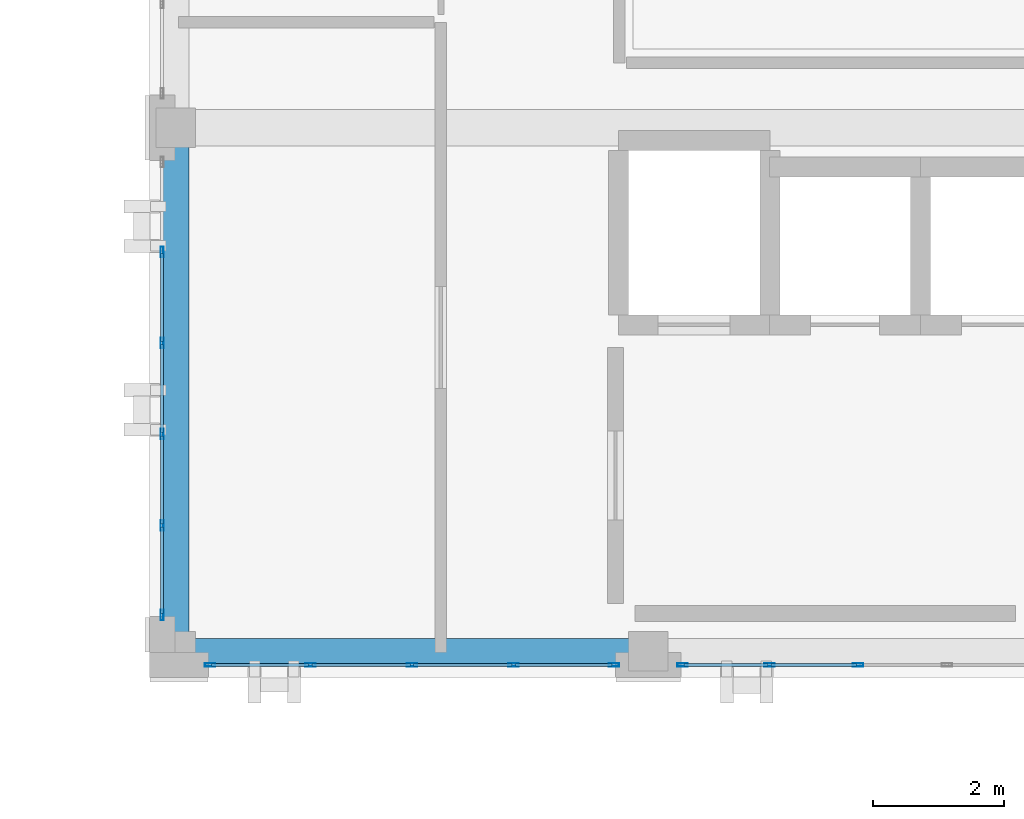
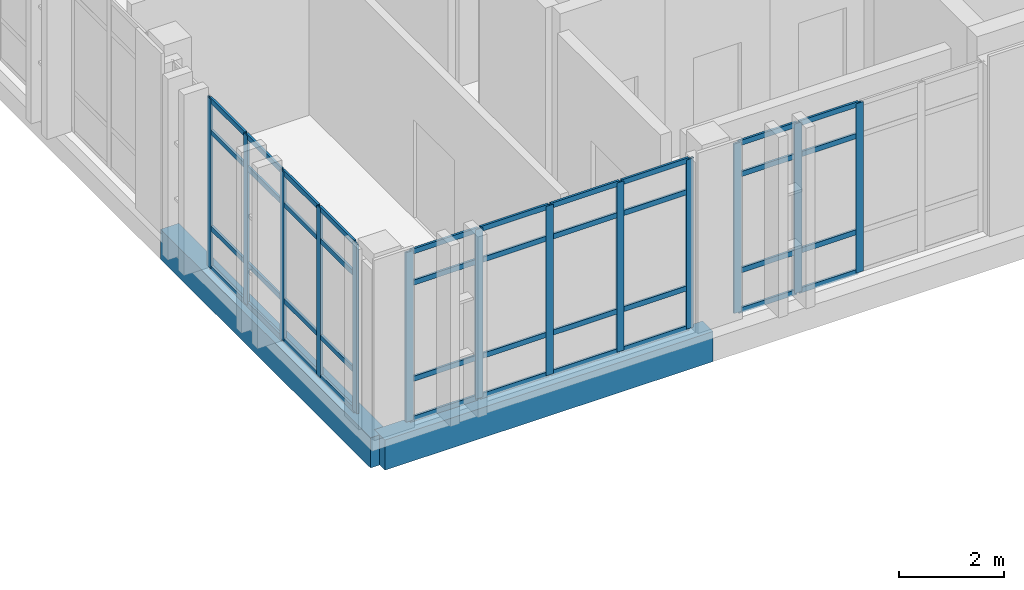
# One storey, part 17 of 90: 53 members, 2 beams, 3 elements without a shape of their own.
"""IFC4 building model written with IfcOpenShell, lengths in metres."""

from ifc_helpers import new_model, si_unit, direction, frame, origin, origin_2d, place, context, subcontext, project, spatial, rectangle, hollow_rectangle, extrude, material, layer, layer_set, material_profile, profile_set, type_object, element, aggregate, save


model = new_model("IFC4")

# Units and contexts
model_context = context("Model", 3, precision=1e-05, world=origin(), true_north=direction((0.0, 1.0)))
body_context = subcontext(model_context, "Body", "Model", "MODEL_VIEW")
ifc_project = project(units=[si_unit("LENGTHUNIT", "METRE"), si_unit("AREAUNIT", "SQUARE_METRE"), si_unit("VOLUMEUNIT", "CUBIC_METRE"), si_unit("PLANEANGLEUNIT", "RADIAN"), si_unit("MASSUNIT", "GRAM", prefix="KILO")], contexts=[model_context])

# Site, building, storey
site_placement = place(None, origin())
site = spatial("IfcSite", under=ifc_project, at=site_placement, CompositionType="ELEMENT")
building_placement = place(site_placement, origin())
building = spatial("IfcBuilding", under=site, at=building_placement, Name="Qalavern Law Courts", CompositionType="ELEMENT")
storey_placement = place(building_placement, frame((0.0, 0.0, 22.800048828125)))
storey = spatial("IfcBuildingStorey", under=building, at=storey_placement, Name="L05", CompositionType="ELEMENT", Elevation=22.800048828125)

# Curtain wall, members
ifc_material_1 = material(Name="Anodised aluminium and insulated glazing", Category="aluminium")
ifc_layer = layer(ifc_material_1, 0.159912109375)
ifc_layer_set = layer_set([ifc_layer], Name="Anodised aluminium and insulated glazing")
curtain_wall_type = type_object("IfcCurtainWallType", Name="ENV-CW-CHAMB", PredefinedType="USERDEFINED", material=ifc_layer_set)
curtain_wall_1_placement = place(storey_placement, origin())
curtain_wall_1 = element("IfcCurtainWall", 1, at=curtain_wall_1_placement, inside=storey, type_object=curtain_wall_type, Name="V4 unitised curtain wall L05 south 1", ObjectType="UNITISED CURTAIN WALL", PredefinedType="USERDEFINED")
ifc_material_2 = material(Name="Anodised aluminium", Category="aluminium")
ifc_material_profile_1 = material_profile(ifc_material_2, hollow_rectangle(XDim=0.048095703125, YDim=0.159912109375, WallThickness=0.00390625, at=origin_2d()), Name="ALU MULLION 48x160")
ifc_profile_set_1 = profile_set([ifc_material_profile_1], Name="Anodised aluminium")
member_type_1 = type_object("IfcMemberType", Name="ENV-CWM-48x160", PredefinedType="MULLION", material=ifc_profile_set_1)
member_1_placement = place(storey_placement, frame((85.1240234375, 41.21240234375, 0.0), z_axis=(0.0, 0.0, 1.0), x_axis=(0.0, 1.0, 0.0)))
member_1 = element("IfcMember", 2, at=member_1_placement, type_object=member_type_1, Name="CW-04 mullion 1", PredefinedType="MULLION", context=body_context, shape_type="SweptSolid", body=[
    extrude(hollow_rectangle(XDim=0.048095703125, YDim=0.159912109375, WallThickness=0.00390625, at=origin_2d()), origin(), (0.0, 0.0, 1.0), 3.929931640625),
])
member_2_placement = place(storey_placement, frame((86.64990234375, 41.21240234375, 0.0), z_axis=(0.0, 0.0, 1.0), x_axis=(0.0, 1.0, 0.0)))
member_2 = element("IfcMember", 3, at=member_2_placement, type_object=member_type_1, Name="CW-04 mullion 2", PredefinedType="MULLION", context=body_context, shape_type="SweptSolid", body=[
    extrude(hollow_rectangle(XDim=0.048095703125, YDim=0.159912109375, WallThickness=0.00390625, at=origin_2d()), origin(), (0.0, 0.0, 1.0), 3.929931640625),
])
member_3_placement = place(storey_placement, frame((88.199951171875, 41.21240234375, 0.0), z_axis=(0.0, 0.0, 1.0), x_axis=(0.0, 1.0, 0.0)))
member_3 = element("IfcMember", 4, at=member_3_placement, type_object=member_type_1, Name="CW-04 mullion 3", PredefinedType="MULLION", context=body_context, shape_type="SweptSolid", body=[
    extrude(hollow_rectangle(XDim=0.048095703125, YDim=0.159912109375, WallThickness=0.00390625, at=origin_2d()), origin(), (0.0, 0.0, 1.0), 3.929931640625),
])
member_4_placement = place(storey_placement, frame((89.75, 41.21240234375, 0.0), z_axis=(0.0, 0.0, 1.0), x_axis=(0.0, 1.0, 0.0)))
member_4 = element("IfcMember", 5, at=member_4_placement, type_object=member_type_1, Name="CW-04 mullion 4", PredefinedType="MULLION", context=body_context, shape_type="SweptSolid", body=[
    extrude(hollow_rectangle(XDim=0.048095703125, YDim=0.159912109375, WallThickness=0.00390625, at=origin_2d()), origin(), (0.0, 0.0, 1.0), 3.929931640625),
])
member_5_placement = place(storey_placement, frame((91.27587890625, 41.21240234375, 0.0), z_axis=(0.0, 0.0, 1.0), x_axis=(0.0, 1.0, 0.0)))
member_5 = element("IfcMember", 6, at=member_5_placement, type_object=member_type_1, Name="CW-04 mullion 5", PredefinedType="MULLION", context=body_context, shape_type="SweptSolid", body=[
    extrude(hollow_rectangle(XDim=0.048095703125, YDim=0.159912109375, WallThickness=0.00390625, at=origin_2d()), origin(), (0.0, 0.0, 1.0), 3.929931640625),
])

curtain_wall_2_placement = place(storey_placement, origin())
curtain_wall_2 = element("IfcCurtainWall", 7, at=curtain_wall_2_placement, inside=storey, type_object=curtain_wall_type, Name="V4 unitised curtain wall L05 south 2", ObjectType="UNITISED CURTAIN WALL", PredefinedType="USERDEFINED")
member_6_placement = place(storey_placement, frame((92.323974609375, 41.21240234375, 0.0), z_axis=(0.0, 0.0, 1.0), x_axis=(0.0, 1.0, 0.0)))
member_6 = element("IfcMember", 8, at=member_6_placement, type_object=member_type_1, Name="CW-04 mullion 1", PredefinedType="MULLION", context=body_context, shape_type="SweptSolid", body=[
    extrude(hollow_rectangle(XDim=0.048095703125, YDim=0.159912109375, WallThickness=0.00390625, at=origin_2d()), origin(), (0.0, 0.0, 1.0), 3.929931640625),
])
member_7_placement = place(storey_placement, frame((93.64990234375, 41.21240234375, 0.0), z_axis=(0.0, 0.0, 1.0), x_axis=(0.0, 1.0, 0.0)))
member_7 = element("IfcMember", 9, at=member_7_placement, type_object=member_type_1, Name="CW-04 mullion 2", PredefinedType="MULLION", context=body_context, shape_type="SweptSolid", body=[
    extrude(hollow_rectangle(XDim=0.048095703125, YDim=0.159912109375, WallThickness=0.00390625, at=origin_2d()), origin(), (0.0, 0.0, 1.0), 3.929931640625),
])
member_8_placement = place(storey_placement, frame((95.0, 41.21240234375, 0.0), z_axis=(0.0, 0.0, 1.0), x_axis=(0.0, 1.0, 0.0)))
member_8 = element("IfcMember", 10, at=member_8_placement, type_object=member_type_1, Name="CW-04 mullion 3", PredefinedType="MULLION", context=body_context, shape_type="SweptSolid", body=[
    extrude(hollow_rectangle(XDim=0.048095703125, YDim=0.159912109375, WallThickness=0.00390625, at=origin_2d()), origin(), (0.0, 0.0, 1.0), 3.929931640625),
])

curtain_wall_3_placement = place(storey_placement, origin())
curtain_wall_3 = element("IfcCurtainWall", 11, at=curtain_wall_3_placement, inside=storey, type_object=curtain_wall_type, Name="V4 unitised curtain wall L05 west 6", ObjectType="UNITISED CURTAIN WALL", PredefinedType="USERDEFINED")
member_9_placement = place(storey_placement, frame((84.392578125, 47.510009765625, 0.0), z_axis=(0.0, 0.0, 1.0), x_axis=(1.0, 0.0, 0.0)))
member_9 = element("IfcMember", 12, at=member_9_placement, type_object=member_type_1, Name="CW-04 mullion 2", PredefinedType="MULLION", context=body_context, shape_type="SweptSolid", body=[
    extrude(hollow_rectangle(XDim=0.048095703125, YDim=0.159912109375, WallThickness=0.00390625, at=origin_2d()), origin(), (0.0, 0.0, 1.0), 3.929931640625),
])
member_10_placement = place(storey_placement, frame((84.392578125, 46.1201171875, 0.0), z_axis=(0.0, 0.0, 1.0), x_axis=(1.0, 0.0, 0.0)))
member_10 = element("IfcMember", 13, at=member_10_placement, type_object=member_type_1, Name="CW-04 mullion 3", PredefinedType="MULLION", context=body_context, shape_type="SweptSolid", body=[
    extrude(hollow_rectangle(XDim=0.048095703125, YDim=0.159912109375, WallThickness=0.00390625, at=origin_2d()), origin(), (0.0, 0.0, 1.0), 3.929931640625),
])
member_11_placement = place(storey_placement, frame((84.392578125, 44.72998046875, 0.0), z_axis=(0.0, 0.0, 1.0), x_axis=(1.0, 0.0, 0.0)))
member_11 = element("IfcMember", 14, at=member_11_placement, type_object=member_type_1, Name="CW-04 mullion 4", PredefinedType="MULLION", context=body_context, shape_type="SweptSolid", body=[
    extrude(hollow_rectangle(XDim=0.048095703125, YDim=0.159912109375, WallThickness=0.00390625, at=origin_2d()), origin(), (0.0, 0.0, 1.0), 3.929931640625),
])
member_12_placement = place(storey_placement, frame((84.392578125, 43.340087890625, 0.0), z_axis=(0.0, 0.0, 1.0), x_axis=(1.0, 0.0, 0.0)))
member_12 = element("IfcMember", 15, at=member_12_placement, type_object=member_type_1, Name="CW-04 mullion 5", PredefinedType="MULLION", context=body_context, shape_type="SweptSolid", body=[
    extrude(hollow_rectangle(XDim=0.048095703125, YDim=0.159912109375, WallThickness=0.00390625, at=origin_2d()), origin(), (0.0, 0.0, 1.0), 3.929931640625),
])
member_13_placement = place(storey_placement, frame((84.392578125, 41.97412109375, 0.0), z_axis=(0.0, 0.0, 1.0), x_axis=(1.0, 0.0, 0.0)))
member_13 = element("IfcMember", 16, at=member_13_placement, type_object=member_type_1, Name="CW-04 mullion 6", PredefinedType="MULLION", context=body_context, shape_type="SweptSolid", body=[
    extrude(hollow_rectangle(XDim=0.048095703125, YDim=0.159912109375, WallThickness=0.00390625, at=origin_2d()), origin(), (0.0, 0.0, 1.0), 3.929931640625),
])

# Member
ifc_material_profile_2 = material_profile(ifc_material_2, hollow_rectangle(XDim=0.048095703125, YDim=0.1201171875, WallThickness=0.00390625, at=origin_2d()), Name="ALU TRANSOM 48x120")
ifc_profile_set_2 = profile_set([ifc_material_profile_2], Name="Anodised aluminium")
member_type_2 = type_object("IfcMemberType", Name="ENV-CWT-48x120", PredefinedType="USERDEFINED", material=ifc_profile_set_2)
member_14_placement = place(storey_placement, frame((85.14794921875, 41.21240234375, 0.02392578125), z_axis=(1.0, 0.0, 0.0), x_axis=(0.0, 1.0, 0.0)))
member_14 = element("IfcMember", 17, at=member_14_placement, type_object=member_type_2, Name="CW-04 transom 1.1", ObjectType="TRANSOM", PredefinedType="USERDEFINED", context=body_context, shape_type="SweptSolid", body=[
    extrude(hollow_rectangle(XDim=0.048095703125, YDim=0.1201171875, WallThickness=0.00390625, at=origin_2d()), origin(), (0.0, 0.0, 1.0), 1.47802734375),
])

member_15_placement = place(storey_placement, frame((85.14794921875, 41.21240234375, 0.949951171875), z_axis=(1.0, 0.0, 0.0), x_axis=(0.0, 1.0, 0.0)))
member_15 = element("IfcMember", 18, at=member_15_placement, type_object=member_type_2, Name="CW-04 transom 1.2", ObjectType="TRANSOM", PredefinedType="USERDEFINED", context=body_context, shape_type="SweptSolid", body=[
    extrude(hollow_rectangle(XDim=0.048095703125, YDim=0.1201171875, WallThickness=0.00390625, at=origin_2d()), origin(), (0.0, 0.0, 1.0), 1.47802734375),
])

member_16_placement = place(storey_placement, frame((85.14794921875, 41.21240234375, 3.179931640625), z_axis=(1.0, 0.0, 0.0), x_axis=(0.0, 1.0, 0.0)))
member_16 = element("IfcMember", 19, at=member_16_placement, type_object=member_type_2, Name="CW-04 transom 1.3", ObjectType="TRANSOM", PredefinedType="USERDEFINED", context=body_context, shape_type="SweptSolid", body=[
    extrude(hollow_rectangle(XDim=0.048095703125, YDim=0.1201171875, WallThickness=0.00390625, at=origin_2d()), origin(), (0.0, 0.0, 1.0), 1.47802734375),
])

member_17_placement = place(storey_placement, frame((85.14794921875, 41.21240234375, 3.906005859375), z_axis=(1.0, 0.0, 0.0), x_axis=(0.0, 1.0, 0.0)))
member_17 = element("IfcMember", 20, at=member_17_placement, type_object=member_type_2, Name="CW-04 transom 1.4", ObjectType="TRANSOM", PredefinedType="USERDEFINED", context=body_context, shape_type="SweptSolid", body=[
    extrude(hollow_rectangle(XDim=0.048095703125, YDim=0.1201171875, WallThickness=0.00390625, at=origin_2d()), origin(), (0.0, 0.0, 1.0), 1.47802734375),
])

member_18_placement = place(storey_placement, frame((86.674072265625, 41.21240234375, 0.02392578125), z_axis=(1.0, 0.0, 0.0), x_axis=(0.0, 1.0, 0.0)))
member_18 = element("IfcMember", 21, at=member_18_placement, type_object=member_type_2, Name="CW-04 transom 2.1", ObjectType="TRANSOM", PredefinedType="USERDEFINED", context=body_context, shape_type="SweptSolid", body=[
    extrude(hollow_rectangle(XDim=0.048095703125, YDim=0.1201171875, WallThickness=0.00390625, at=origin_2d()), origin(), (0.0, 0.0, 1.0), 1.501953125),
])

member_19_placement = place(storey_placement, frame((86.674072265625, 41.21240234375, 0.949951171875), z_axis=(1.0, 0.0, 0.0), x_axis=(0.0, 1.0, 0.0)))
member_19 = element("IfcMember", 22, at=member_19_placement, type_object=member_type_2, Name="CW-04 transom 2.2", ObjectType="TRANSOM", PredefinedType="USERDEFINED", context=body_context, shape_type="SweptSolid", body=[
    extrude(hollow_rectangle(XDim=0.048095703125, YDim=0.1201171875, WallThickness=0.00390625, at=origin_2d()), origin(), (0.0, 0.0, 1.0), 1.501953125),
])

member_20_placement = place(storey_placement, frame((86.674072265625, 41.21240234375, 3.179931640625), z_axis=(1.0, 0.0, 0.0), x_axis=(0.0, 1.0, 0.0)))
member_20 = element("IfcMember", 23, at=member_20_placement, type_object=member_type_2, Name="CW-04 transom 2.3", ObjectType="TRANSOM", PredefinedType="USERDEFINED", context=body_context, shape_type="SweptSolid", body=[
    extrude(hollow_rectangle(XDim=0.048095703125, YDim=0.1201171875, WallThickness=0.00390625, at=origin_2d()), origin(), (0.0, 0.0, 1.0), 1.501953125),
])

member_21_placement = place(storey_placement, frame((86.674072265625, 41.21240234375, 3.906005859375), z_axis=(1.0, 0.0, 0.0), x_axis=(0.0, 1.0, 0.0)))
member_21 = element("IfcMember", 24, at=member_21_placement, type_object=member_type_2, Name="CW-04 transom 2.4", ObjectType="TRANSOM", PredefinedType="USERDEFINED", context=body_context, shape_type="SweptSolid", body=[
    extrude(hollow_rectangle(XDim=0.048095703125, YDim=0.1201171875, WallThickness=0.00390625, at=origin_2d()), origin(), (0.0, 0.0, 1.0), 1.501953125),
])

member_22_placement = place(storey_placement, frame((88.22412109375, 41.21240234375, 0.02392578125), z_axis=(1.0, 0.0, 0.0), x_axis=(0.0, 1.0, 0.0)))
member_22 = element("IfcMember", 25, at=member_22_placement, type_object=member_type_2, Name="CW-04 transom 3.1", ObjectType="TRANSOM", PredefinedType="USERDEFINED", context=body_context, shape_type="SweptSolid", body=[
    extrude(hollow_rectangle(XDim=0.048095703125, YDim=0.1201171875, WallThickness=0.00390625, at=origin_2d()), origin(), (0.0, 0.0, 1.0), 1.501953125),
])

member_23_placement = place(storey_placement, frame((88.22412109375, 41.21240234375, 0.949951171875), z_axis=(1.0, 0.0, 0.0), x_axis=(0.0, 1.0, 0.0)))
member_23 = element("IfcMember", 26, at=member_23_placement, type_object=member_type_2, Name="CW-04 transom 3.2", ObjectType="TRANSOM", PredefinedType="USERDEFINED", context=body_context, shape_type="SweptSolid", body=[
    extrude(hollow_rectangle(XDim=0.048095703125, YDim=0.1201171875, WallThickness=0.00390625, at=origin_2d()), origin(), (0.0, 0.0, 1.0), 1.501953125),
])

member_24_placement = place(storey_placement, frame((88.22412109375, 41.21240234375, 3.179931640625), z_axis=(1.0, 0.0, 0.0), x_axis=(0.0, 1.0, 0.0)))
member_24 = element("IfcMember", 27, at=member_24_placement, type_object=member_type_2, Name="CW-04 transom 3.3", ObjectType="TRANSOM", PredefinedType="USERDEFINED", context=body_context, shape_type="SweptSolid", body=[
    extrude(hollow_rectangle(XDim=0.048095703125, YDim=0.1201171875, WallThickness=0.00390625, at=origin_2d()), origin(), (0.0, 0.0, 1.0), 1.501953125),
])

member_25_placement = place(storey_placement, frame((88.22412109375, 41.21240234375, 3.906005859375), z_axis=(1.0, 0.0, 0.0), x_axis=(0.0, 1.0, 0.0)))
member_25 = element("IfcMember", 28, at=member_25_placement, type_object=member_type_2, Name="CW-04 transom 3.4", ObjectType="TRANSOM", PredefinedType="USERDEFINED", context=body_context, shape_type="SweptSolid", body=[
    extrude(hollow_rectangle(XDim=0.048095703125, YDim=0.1201171875, WallThickness=0.00390625, at=origin_2d()), origin(), (0.0, 0.0, 1.0), 1.501953125),
])

member_26_placement = place(storey_placement, frame((89.77392578125, 41.21240234375, 0.02392578125), z_axis=(1.0, 0.0, 0.0), x_axis=(0.0, 1.0, 0.0)))
member_26 = element("IfcMember", 29, at=member_26_placement, type_object=member_type_2, Name="CW-04 transom 4.1", ObjectType="TRANSOM", PredefinedType="USERDEFINED", context=body_context, shape_type="SweptSolid", body=[
    extrude(hollow_rectangle(XDim=0.048095703125, YDim=0.1201171875, WallThickness=0.00390625, at=origin_2d()), origin(), (0.0, 0.0, 1.0), 1.47802734375),
])

member_27_placement = place(storey_placement, frame((89.77392578125, 41.21240234375, 0.949951171875), z_axis=(1.0, 0.0, 0.0), x_axis=(0.0, 1.0, 0.0)))
member_27 = element("IfcMember", 30, at=member_27_placement, type_object=member_type_2, Name="CW-04 transom 4.2", ObjectType="TRANSOM", PredefinedType="USERDEFINED", context=body_context, shape_type="SweptSolid", body=[
    extrude(hollow_rectangle(XDim=0.048095703125, YDim=0.1201171875, WallThickness=0.00390625, at=origin_2d()), origin(), (0.0, 0.0, 1.0), 1.47802734375),
])

member_28_placement = place(storey_placement, frame((89.77392578125, 41.21240234375, 3.179931640625), z_axis=(1.0, 0.0, 0.0), x_axis=(0.0, 1.0, 0.0)))
member_28 = element("IfcMember", 31, at=member_28_placement, type_object=member_type_2, Name="CW-04 transom 4.3", ObjectType="TRANSOM", PredefinedType="USERDEFINED", context=body_context, shape_type="SweptSolid", body=[
    extrude(hollow_rectangle(XDim=0.048095703125, YDim=0.1201171875, WallThickness=0.00390625, at=origin_2d()), origin(), (0.0, 0.0, 1.0), 1.47802734375),
])

member_29_placement = place(storey_placement, frame((89.77392578125, 41.21240234375, 3.906005859375), z_axis=(1.0, 0.0, 0.0), x_axis=(0.0, 1.0, 0.0)))
member_29 = element("IfcMember", 32, at=member_29_placement, type_object=member_type_2, Name="CW-04 transom 4.4", ObjectType="TRANSOM", PredefinedType="USERDEFINED", context=body_context, shape_type="SweptSolid", body=[
    extrude(hollow_rectangle(XDim=0.048095703125, YDim=0.1201171875, WallThickness=0.00390625, at=origin_2d()), origin(), (0.0, 0.0, 1.0), 1.47802734375),
])

aggregate(curtain_wall_1, [member_1, member_2, member_3, member_4, member_5, member_14, member_15, member_16, member_17, member_18, member_19, member_20, member_21, member_22, member_23, member_24, member_25, member_26, member_27, member_28, member_29])

member_30_placement = place(storey_placement, frame((92.347900390625, 41.21240234375, 0.02392578125), z_axis=(1.0, 0.0, 0.0), x_axis=(0.0, 1.0, 0.0)))
member_30 = element("IfcMember", 33, at=member_30_placement, type_object=member_type_2, Name="CW-04 transom 1.1", ObjectType="TRANSOM", PredefinedType="USERDEFINED", context=body_context, shape_type="SweptSolid", body=[
    extrude(hollow_rectangle(XDim=0.048095703125, YDim=0.1201171875, WallThickness=0.00390625, at=origin_2d()), origin(), (0.0, 0.0, 1.0), 1.278076171875),
])

member_31_placement = place(storey_placement, frame((92.347900390625, 41.21240234375, 0.949951171875), z_axis=(1.0, 0.0, 0.0), x_axis=(0.0, 1.0, 0.0)))
member_31 = element("IfcMember", 34, at=member_31_placement, type_object=member_type_2, Name="CW-04 transom 1.2", ObjectType="TRANSOM", PredefinedType="USERDEFINED", context=body_context, shape_type="SweptSolid", body=[
    extrude(hollow_rectangle(XDim=0.048095703125, YDim=0.1201171875, WallThickness=0.00390625, at=origin_2d()), origin(), (0.0, 0.0, 1.0), 1.278076171875),
])

member_32_placement = place(storey_placement, frame((92.347900390625, 41.21240234375, 3.179931640625), z_axis=(1.0, 0.0, 0.0), x_axis=(0.0, 1.0, 0.0)))
member_32 = element("IfcMember", 35, at=member_32_placement, type_object=member_type_2, Name="CW-04 transom 1.3", ObjectType="TRANSOM", PredefinedType="USERDEFINED", context=body_context, shape_type="SweptSolid", body=[
    extrude(hollow_rectangle(XDim=0.048095703125, YDim=0.1201171875, WallThickness=0.00390625, at=origin_2d()), origin(), (0.0, 0.0, 1.0), 1.278076171875),
])

member_33_placement = place(storey_placement, frame((92.347900390625, 41.21240234375, 3.906005859375), z_axis=(1.0, 0.0, 0.0), x_axis=(0.0, 1.0, 0.0)))
member_33 = element("IfcMember", 36, at=member_33_placement, type_object=member_type_2, Name="CW-04 transom 1.4", ObjectType="TRANSOM", PredefinedType="USERDEFINED", context=body_context, shape_type="SweptSolid", body=[
    extrude(hollow_rectangle(XDim=0.048095703125, YDim=0.1201171875, WallThickness=0.00390625, at=origin_2d()), origin(), (0.0, 0.0, 1.0), 1.278076171875),
])

member_34_placement = place(storey_placement, frame((93.674072265625, 41.21240234375, 0.02392578125), z_axis=(1.0, 0.0, 0.0), x_axis=(0.0, 1.0, 0.0)))
member_34 = element("IfcMember", 37, at=member_34_placement, type_object=member_type_2, Name="CW-04 transom 2.1", ObjectType="TRANSOM", PredefinedType="USERDEFINED", context=body_context, shape_type="SweptSolid", body=[
    extrude(hollow_rectangle(XDim=0.048095703125, YDim=0.1201171875, WallThickness=0.00390625, at=origin_2d()), origin(), (0.0, 0.0, 1.0), 1.302001953125),
])

member_35_placement = place(storey_placement, frame((93.674072265625, 41.21240234375, 0.949951171875), z_axis=(1.0, 0.0, 0.0), x_axis=(0.0, 1.0, 0.0)))
member_35 = element("IfcMember", 38, at=member_35_placement, type_object=member_type_2, Name="CW-04 transom 2.2", ObjectType="TRANSOM", PredefinedType="USERDEFINED", context=body_context, shape_type="SweptSolid", body=[
    extrude(hollow_rectangle(XDim=0.048095703125, YDim=0.1201171875, WallThickness=0.00390625, at=origin_2d()), origin(), (0.0, 0.0, 1.0), 1.302001953125),
])

member_36_placement = place(storey_placement, frame((93.674072265625, 41.21240234375, 3.179931640625), z_axis=(1.0, 0.0, 0.0), x_axis=(0.0, 1.0, 0.0)))
member_36 = element("IfcMember", 39, at=member_36_placement, type_object=member_type_2, Name="CW-04 transom 2.3", ObjectType="TRANSOM", PredefinedType="USERDEFINED", context=body_context, shape_type="SweptSolid", body=[
    extrude(hollow_rectangle(XDim=0.048095703125, YDim=0.1201171875, WallThickness=0.00390625, at=origin_2d()), origin(), (0.0, 0.0, 1.0), 1.302001953125),
])

member_37_placement = place(storey_placement, frame((93.674072265625, 41.21240234375, 3.906005859375), z_axis=(1.0, 0.0, 0.0), x_axis=(0.0, 1.0, 0.0)))
member_37 = element("IfcMember", 40, at=member_37_placement, type_object=member_type_2, Name="CW-04 transom 2.4", ObjectType="TRANSOM", PredefinedType="USERDEFINED", context=body_context, shape_type="SweptSolid", body=[
    extrude(hollow_rectangle(XDim=0.048095703125, YDim=0.1201171875, WallThickness=0.00390625, at=origin_2d()), origin(), (0.0, 0.0, 1.0), 1.302001953125),
])

aggregate(curtain_wall_2, [member_6, member_7, member_8, member_30, member_31, member_32, member_33, member_34, member_35, member_36, member_37])

member_38_placement = place(storey_placement, frame((84.392578125, 47.486083984375, 0.02392578125), z_axis=(0.0, -1.0, 0.0), x_axis=(1.0, 0.0, 0.0)))
member_38 = element("IfcMember", 41, at=member_38_placement, type_object=member_type_2, Name="CW-04 transom 2.1", ObjectType="TRANSOM", PredefinedType="USERDEFINED", context=body_context, shape_type="SweptSolid", body=[
    extrude(hollow_rectangle(XDim=0.048095703125, YDim=0.1201171875, WallThickness=0.00390625, at=origin_2d()), origin(), (0.0, 0.0, 1.0), 1.342041015625),
])

member_39_placement = place(storey_placement, frame((84.392578125, 47.486083984375, 0.949951171875), z_axis=(0.0, -1.0, 0.0), x_axis=(1.0, 0.0, 0.0)))
member_39 = element("IfcMember", 42, at=member_39_placement, type_object=member_type_2, Name="CW-04 transom 2.2", ObjectType="TRANSOM", PredefinedType="USERDEFINED", context=body_context, shape_type="SweptSolid", body=[
    extrude(hollow_rectangle(XDim=0.048095703125, YDim=0.1201171875, WallThickness=0.00390625, at=origin_2d()), origin(), (0.0, 0.0, 1.0), 1.342041015625),
])

member_40_placement = place(storey_placement, frame((84.392578125, 47.486083984375, 3.179931640625), z_axis=(0.0, -1.0, 0.0), x_axis=(1.0, 0.0, 0.0)))
member_40 = element("IfcMember", 43, at=member_40_placement, type_object=member_type_2, Name="CW-04 transom 2.3", ObjectType="TRANSOM", PredefinedType="USERDEFINED", context=body_context, shape_type="SweptSolid", body=[
    extrude(hollow_rectangle(XDim=0.048095703125, YDim=0.1201171875, WallThickness=0.00390625, at=origin_2d()), origin(), (0.0, 0.0, 1.0), 1.342041015625),
])

member_41_placement = place(storey_placement, frame((84.392578125, 47.486083984375, 3.906005859375), z_axis=(0.0, -1.0, 0.0), x_axis=(1.0, 0.0, 0.0)))
member_41 = element("IfcMember", 44, at=member_41_placement, type_object=member_type_2, Name="CW-04 transom 2.4", ObjectType="TRANSOM", PredefinedType="USERDEFINED", context=body_context, shape_type="SweptSolid", body=[
    extrude(hollow_rectangle(XDim=0.048095703125, YDim=0.1201171875, WallThickness=0.00390625, at=origin_2d()), origin(), (0.0, 0.0, 1.0), 1.342041015625),
])

member_42_placement = place(storey_placement, frame((84.392578125, 46.095947265625, 0.02392578125), z_axis=(0.0, -1.0, 0.0), x_axis=(1.0, 0.0, 0.0)))
member_42 = element("IfcMember", 45, at=member_42_placement, type_object=member_type_2, Name="CW-04 transom 3.1", ObjectType="TRANSOM", PredefinedType="USERDEFINED", context=body_context, shape_type="SweptSolid", body=[
    extrude(hollow_rectangle(XDim=0.048095703125, YDim=0.1201171875, WallThickness=0.00390625, at=origin_2d()), origin(), (0.0, 0.0, 1.0), 1.342041015625),
])

member_43_placement = place(storey_placement, frame((84.392578125, 46.095947265625, 0.949951171875), z_axis=(0.0, -1.0, 0.0), x_axis=(1.0, 0.0, 0.0)))
member_43 = element("IfcMember", 46, at=member_43_placement, type_object=member_type_2, Name="CW-04 transom 3.2", ObjectType="TRANSOM", PredefinedType="USERDEFINED", context=body_context, shape_type="SweptSolid", body=[
    extrude(hollow_rectangle(XDim=0.048095703125, YDim=0.1201171875, WallThickness=0.00390625, at=origin_2d()), origin(), (0.0, 0.0, 1.0), 1.342041015625),
])

member_44_placement = place(storey_placement, frame((84.392578125, 46.095947265625, 3.179931640625), z_axis=(0.0, -1.0, 0.0), x_axis=(1.0, 0.0, 0.0)))
member_44 = element("IfcMember", 47, at=member_44_placement, type_object=member_type_2, Name="CW-04 transom 3.3", ObjectType="TRANSOM", PredefinedType="USERDEFINED", context=body_context, shape_type="SweptSolid", body=[
    extrude(hollow_rectangle(XDim=0.048095703125, YDim=0.1201171875, WallThickness=0.00390625, at=origin_2d()), origin(), (0.0, 0.0, 1.0), 1.342041015625),
])

member_45_placement = place(storey_placement, frame((84.392578125, 46.095947265625, 3.906005859375), z_axis=(0.0, -1.0, 0.0), x_axis=(1.0, 0.0, 0.0)))
member_45 = element("IfcMember", 48, at=member_45_placement, type_object=member_type_2, Name="CW-04 transom 3.4", ObjectType="TRANSOM", PredefinedType="USERDEFINED", context=body_context, shape_type="SweptSolid", body=[
    extrude(hollow_rectangle(XDim=0.048095703125, YDim=0.1201171875, WallThickness=0.00390625, at=origin_2d()), origin(), (0.0, 0.0, 1.0), 1.342041015625),
])

member_46_placement = place(storey_placement, frame((84.392578125, 44.7060546875, 0.02392578125), z_axis=(0.0, -1.0, 0.0), x_axis=(1.0, 0.0, 0.0)))
member_46 = element("IfcMember", 49, at=member_46_placement, type_object=member_type_2, Name="CW-04 transom 4.1", ObjectType="TRANSOM", PredefinedType="USERDEFINED", context=body_context, shape_type="SweptSolid", body=[
    extrude(hollow_rectangle(XDim=0.048095703125, YDim=0.1201171875, WallThickness=0.00390625, at=origin_2d()), origin(), (0.0, 0.0, 1.0), 1.342041015625),
])

member_47_placement = place(storey_placement, frame((84.392578125, 44.7060546875, 0.949951171875), z_axis=(0.0, -1.0, 0.0), x_axis=(1.0, 0.0, 0.0)))
member_47 = element("IfcMember", 50, at=member_47_placement, type_object=member_type_2, Name="CW-04 transom 4.2", ObjectType="TRANSOM", PredefinedType="USERDEFINED", context=body_context, shape_type="SweptSolid", body=[
    extrude(hollow_rectangle(XDim=0.048095703125, YDim=0.1201171875, WallThickness=0.00390625, at=origin_2d()), origin(), (0.0, 0.0, 1.0), 1.342041015625),
])

member_48_placement = place(storey_placement, frame((84.392578125, 44.7060546875, 3.179931640625), z_axis=(0.0, -1.0, 0.0), x_axis=(1.0, 0.0, 0.0)))
member_48 = element("IfcMember", 51, at=member_48_placement, type_object=member_type_2, Name="CW-04 transom 4.3", ObjectType="TRANSOM", PredefinedType="USERDEFINED", context=body_context, shape_type="SweptSolid", body=[
    extrude(hollow_rectangle(XDim=0.048095703125, YDim=0.1201171875, WallThickness=0.00390625, at=origin_2d()), origin(), (0.0, 0.0, 1.0), 1.342041015625),
])

member_49_placement = place(storey_placement, frame((84.392578125, 44.7060546875, 3.906005859375), z_axis=(0.0, -1.0, 0.0), x_axis=(1.0, 0.0, 0.0)))
member_49 = element("IfcMember", 52, at=member_49_placement, type_object=member_type_2, Name="CW-04 transom 4.4", ObjectType="TRANSOM", PredefinedType="USERDEFINED", context=body_context, shape_type="SweptSolid", body=[
    extrude(hollow_rectangle(XDim=0.048095703125, YDim=0.1201171875, WallThickness=0.00390625, at=origin_2d()), origin(), (0.0, 0.0, 1.0), 1.342041015625),
])

member_50_placement = place(storey_placement, frame((84.392578125, 43.31591796875, 0.02392578125), z_axis=(0.0, -1.0, 0.0), x_axis=(1.0, 0.0, 0.0)))
member_50 = element("IfcMember", 53, at=member_50_placement, type_object=member_type_2, Name="CW-04 transom 5.1", ObjectType="TRANSOM", PredefinedType="USERDEFINED", context=body_context, shape_type="SweptSolid", body=[
    extrude(hollow_rectangle(XDim=0.048095703125, YDim=0.1201171875, WallThickness=0.00390625, at=origin_2d()), origin(), (0.0, 0.0, 1.0), 1.31787109375),
])

member_51_placement = place(storey_placement, frame((84.392578125, 43.31591796875, 0.949951171875), z_axis=(0.0, -1.0, 0.0), x_axis=(1.0, 0.0, 0.0)))
member_51 = element("IfcMember", 54, at=member_51_placement, type_object=member_type_2, Name="CW-04 transom 5.2", ObjectType="TRANSOM", PredefinedType="USERDEFINED", context=body_context, shape_type="SweptSolid", body=[
    extrude(hollow_rectangle(XDim=0.048095703125, YDim=0.1201171875, WallThickness=0.00390625, at=origin_2d()), origin(), (0.0, 0.0, 1.0), 1.31787109375),
])

member_52_placement = place(storey_placement, frame((84.392578125, 43.31591796875, 3.179931640625), z_axis=(0.0, -1.0, 0.0), x_axis=(1.0, 0.0, 0.0)))
member_52 = element("IfcMember", 55, at=member_52_placement, type_object=member_type_2, Name="CW-04 transom 5.3", ObjectType="TRANSOM", PredefinedType="USERDEFINED", context=body_context, shape_type="SweptSolid", body=[
    extrude(hollow_rectangle(XDim=0.048095703125, YDim=0.1201171875, WallThickness=0.00390625, at=origin_2d()), origin(), (0.0, 0.0, 1.0), 1.31787109375),
])

member_53_placement = place(storey_placement, frame((84.392578125, 43.31591796875, 3.906005859375), z_axis=(0.0, -1.0, 0.0), x_axis=(1.0, 0.0, 0.0)))
member_53 = element("IfcMember", 56, at=member_53_placement, type_object=member_type_2, Name="CW-04 transom 5.4", ObjectType="TRANSOM", PredefinedType="USERDEFINED", context=body_context, shape_type="SweptSolid", body=[
    extrude(hollow_rectangle(XDim=0.048095703125, YDim=0.1201171875, WallThickness=0.00390625, at=origin_2d()), origin(), (0.0, 0.0, 1.0), 1.31787109375),
])

aggregate(curtain_wall_3, [member_9, member_10, member_11, member_12, member_13, member_38, member_39, member_40, member_41, member_42, member_43, member_44, member_45, member_46, member_47, member_48, member_49, member_50, member_51, member_52, member_53])

# Beams
ifc_material_3 = material(Name="Concrete C40/50", Category="concrete")
ifc_material_profile_3 = material_profile(ifc_material_3, rectangle(XDim=0.39990234375, YDim=0.699951171875, at=origin_2d()), Name="RC 400x700")
ifc_profile_set_3 = profile_set([ifc_material_profile_3], Name="Concrete C40/50")
beam_type = type_object("IfcBeamType", Name="STR-SP-RC400x700", PredefinedType="SPANDREL", material=ifc_profile_set_3)
beam_1_placement = place(storey_placement, frame((84.60009765625, 41.419921875, -0.625), z_axis=(1.0, 0.0, 0.0), x_axis=(0.0, 1.0, 0.0)))
element("IfcBeam", 57, at=beam_1_placement, inside=storey, type_object=beam_type, Name="V4 X-beam 1-1 L05", PredefinedType="SPANDREL", context=body_context, shape_type="SweptSolid", body=[
    extrude(rectangle(XDim=0.39990234375, YDim=0.699951171875, at=origin_2d()), origin(), (0.0, 0.0, 1.0), 7.199951171875),
])
beam_2_placement = place(storey_placement, frame((84.60009765625, 41.419921875, -0.625), z_axis=(0.0, 1.0, 0.0), x_axis=(-1.0, 0.0, 0.0)))
element("IfcBeam", 58, at=beam_2_placement, inside=storey, type_object=beam_type, Name="V4 Y-beam 1-1 L05", PredefinedType="SPANDREL", context=body_context, shape_type="SweptSolid", body=[
    extrude(rectangle(XDim=0.39990234375, YDim=0.699951171875, at=origin_2d()), origin(), (0.0, 0.0, 1.0), 7.97998046875),
])

save(model, "model.ifc")
